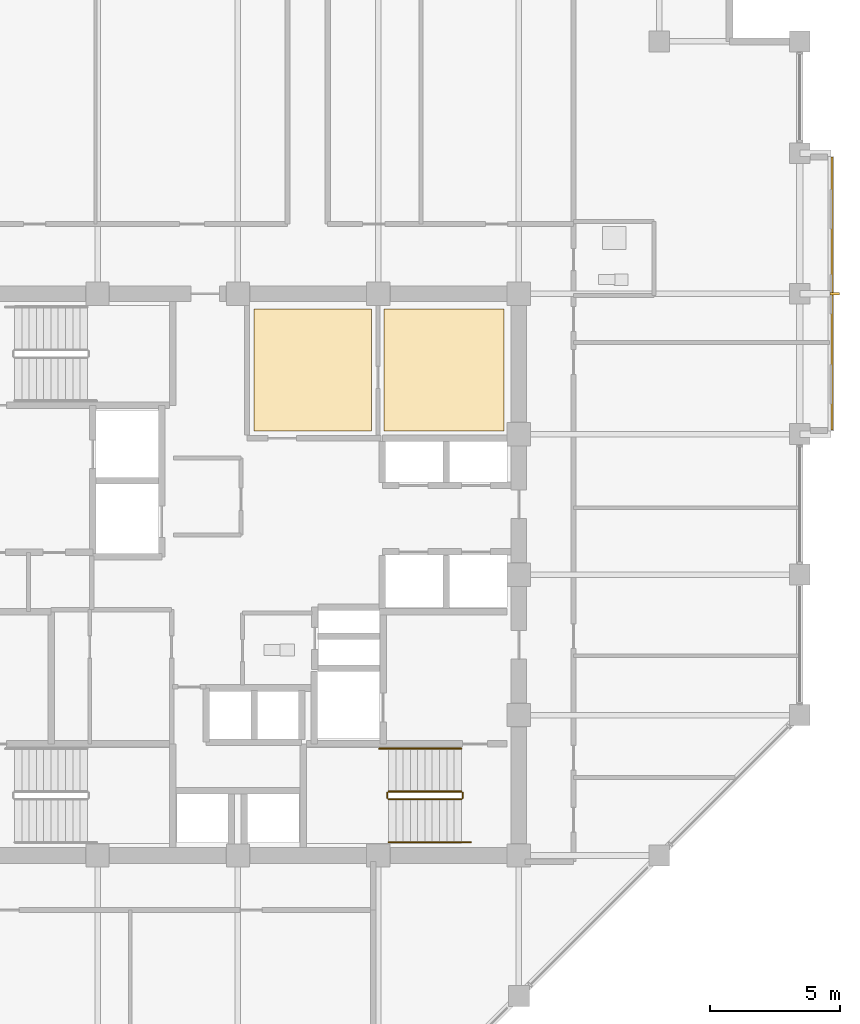
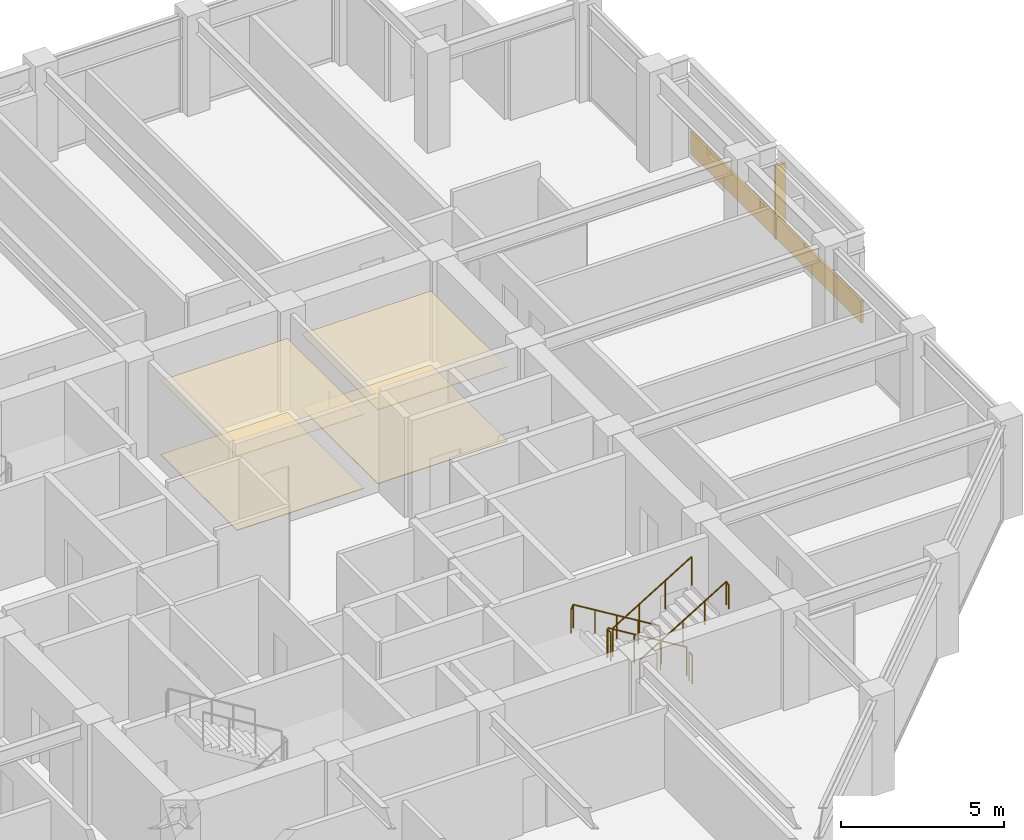
# One storey, part 29 of 30: 6 railings, 5 coverings, 1 shading device.
"""IFC4 building model written with IfcOpenShell, lengths in metres."""

from ifc_helpers import new_model, si_unit, direction, frame, origin, origin_2d, place, context, subcontext, project, spatial, polyline, rectangle, circle, outline, extrude, material, layer, layer_set, type_object, element, save


model = new_model("IFC4")

# Units and contexts
model_context = context("Model", 3, precision=1e-05, world=origin(), true_north=direction((0.0, 1.0)))
body_context = subcontext(model_context, "Body", "Model", "MODEL_VIEW")
ifc_project = project(units=[si_unit("LENGTHUNIT", "METRE"), si_unit("AREAUNIT", "SQUARE_METRE"), si_unit("VOLUMEUNIT", "CUBIC_METRE"), si_unit("PLANEANGLEUNIT", "RADIAN"), si_unit("MASSUNIT", "GRAM", prefix="KILO")], contexts=[model_context])

# Site, building, storey
site_placement = place(None, origin())
site = spatial("IfcSite", under=ifc_project, at=site_placement, CompositionType="ELEMENT")
building_placement = place(site_placement, origin())
building = spatial("IfcBuilding", under=site, at=building_placement, Name="Surkhivell Harbour Commons", CompositionType="ELEMENT")
storey_placement = place(building_placement, frame((0.0, 0.0, 227.25)))
storey = spatial("IfcBuildingStorey", under=building, at=storey_placement, Name="L59", CompositionType="ELEMENT", Elevation=227.25)

# Coverings
ifc_material_1 = material(Name="Perforated acoustic mineral-fibre ceiling tile", Category="other")
ifc_layer_1 = layer(ifc_material_1, 0.02490234375)
ifc_layer_set_1 = layer_set([ifc_layer_1], Name="Perforated acoustic mineral-fibre ceiling tile")
covering_type_1 = type_object("IfcCoveringType", Name="COV-CEIL-AC", PredefinedType="CEILING", material=ifc_layer_set_1)
covering_1_placement = place(storey_placement, frame((0.0, 0.0, 2.77490234375)))
element("IfcCovering", 1, at=covering_1_placement, inside=storey, type_object=covering_type_1, Name="L59 Suspended Acoustic Ceiling 1", PredefinedType="CEILING", context=body_context, shape_type="SweptSolid", body=[
    extrude(outline(polyline([(0.6201171875, 5.52001953125), (5.1298828125, 5.52001953125), (5.1298828125, 10.219970703125), (0.6201171875, 10.219970703125), (0.6201171875, 5.52001953125)])), origin(), (0.0, 0.0, 1.0), 0.025146484375),
])
ifc_material_2 = material(Name="Moisture-resistant gypsum acoustic ceiling board", Category="other")
ifc_layer_2 = layer(ifc_material_2, 0.030029296875)
ifc_layer_set_2 = layer_set([ifc_layer_2], Name="Moisture-resistant gypsum acoustic ceiling board")
covering_type_2 = type_object("IfcCoveringType", Name="COV-CEIL-GYP", PredefinedType="CEILING", material=ifc_layer_set_2)
covering_2_placement = place(storey_placement, frame((0.0, 0.0, 2.77001953125)))
element("IfcCovering", 2, at=covering_2_placement, inside=storey, type_object=covering_type_2, Name="L59 Suspended Acoustic Ceiling 2", PredefinedType="CEILING", context=body_context, shape_type="SweptSolid", body=[
    extrude(outline(polyline([(5.6201171875, 5.52001953125), (10.219970703125, 5.52001953125), (10.219970703125, 10.219970703125), (5.6201171875, 10.219970703125), (5.6201171875, 5.52001953125)])), origin(), (0.0, 0.0, 1.0), 0.030029296875),
])
ifc_material_3 = material(Name="Saffron-gold enamelled aluminium cassette panel", Category="aluminium")
ifc_layer_3 = layer(ifc_material_3, 0.070068359375)
ifc_layer_set_3 = layer_set([ifc_layer_3], Name="Saffron-gold enamelled aluminium cassette panel")
covering_type_3 = type_object("IfcCoveringType", Name="COV-CLAD-SAF", PredefinedType="CLADDING", material=ifc_layer_set_3)
covering_3_placement = place(storey_placement, frame((22.840087890625, 10.800048828125, 0.0), z_axis=(0.0, 0.0, 1.0), x_axis=(1.0, 0.0, 0.0)))
element("IfcCovering", 3, at=covering_3_placement, inside=storey, type_object=covering_type_3, Name="L59 Coloured-Panel Box Spandrel Cassette 01", PredefinedType="CLADDING", context=body_context, shape_type="SweptSolid", body=[
    extrude(rectangle(XDim=0.080078125, YDim=10.5, at=origin_2d()), origin(), (0.0, 0.0, 1.0), 0.840087890625),
])
ifc_material_4 = material(Name="Engineered acoustic oak timber flooring", Category="wood")
ifc_layer_4 = layer(ifc_material_4, 0.02001953125)
ifc_layer_set_4 = layer_set([ifc_layer_4], Name="Engineered acoustic oak timber flooring")
covering_type_4 = type_object("IfcCoveringType", Name="COV-FLR-TIM", PredefinedType="FLOORING", material=ifc_layer_set_4)
covering_4_placement = place(storey_placement, origin())
element("IfcCovering", 4, at=covering_4_placement, inside=storey, type_object=covering_type_4, Name="L59 Interior Floor Finish 1", PredefinedType="FLOORING", context=body_context, shape_type="SweptSolid", body=[
    extrude(outline(polyline([(0.6201171875, 5.52001953125), (5.1298828125, 5.52001953125), (5.1298828125, 10.219970703125), (0.6201171875, 10.219970703125), (0.6201171875, 5.52001953125)])), origin(), (0.0, 0.0, 1.0), 0.02001953125),
])
covering_5_placement = place(storey_placement, origin())
element("IfcCovering", 5, at=covering_5_placement, inside=storey, type_object=covering_type_4, Name="L59 Interior Floor Finish 2", PredefinedType="FLOORING", context=body_context, shape_type="SweptSolid", body=[
    extrude(outline(polyline([(5.6201171875, 5.52001953125), (10.219970703125, 5.52001953125), (10.219970703125, 10.219970703125), (5.6201171875, 10.219970703125), (5.6201171875, 5.52001953125)])), origin(), (0.0, 0.0, 1.0), 0.02001953125),
])

# Railings
ifc_material_5 = material(Name="Galvanised and painted steel S355 guard rail", Category="steel")
railing_type_1 = type_object("IfcRailingType", Name="RAL-ST-GRD1100", PredefinedType="GUARDRAIL", material=ifc_material_5)
railing_1_placement = place(storey_placement, frame((8.590087890625, -8.340087890625, 0.17041015625)))
element("IfcRailing", 6, at=railing_1_placement, inside=storey, type_object=railing_type_1, Name="L59 ST2 stair guard 1", PredefinedType="GUARDRAIL", context=body_context, shape_type="SweptSolid", body=[
    extrude(circle(Radius=0.02392578125, at=origin_2d()), frame((0.0, 0.0, 1.076171875), z_axis=(-0.854169791009, 0.0, 0.51999420009), x_axis=(0.0, -1.0, 0.0)), (0.0, 0.0, 1.0), 3.278076171875),
    extrude(circle(Radius=0.02099609375, at=origin_2d()), origin(), (0.0, 0.0, 1.0), 1.052001953125),
    extrude(circle(Radius=0.02099609375, at=origin_2d()), frame((-0.933349609375, 0.0, 0.568115234375)), (0.0, 0.0, 1.0), 1.052001953125),
    extrude(circle(Radius=0.02099609375, at=origin_2d()), frame((-1.86669921875, 0.0, 1.136474609375)), (0.0, 0.0, 1.0), 1.052001953125),
    extrude(circle(Radius=0.02099609375, at=origin_2d()), frame((-2.800048828125, 0.0, 1.70458984375)), (0.0, 0.0, 1.0), 1.052001953125),
])
railing_2_placement = place(storey_placement, frame((5.739990234375, -8.389892578125, 1.875)))
element("IfcRailing", 7, at=railing_2_placement, inside=storey, type_object=railing_type_1, Name="L59 ST2 stair guard 2", PredefinedType="GUARDRAIL", context=body_context, shape_type="SweptSolid", body=[
    extrude(circle(Radius=0.02392578125, at=origin_2d()), frame((0.0, 0.0, 1.076171875), z_axis=(0.0, -1.0, 0.0), x_axis=(1.0, 0.0, 0.0)), (0.0, 0.0, 1.0), 0.2001953125),
    extrude(circle(Radius=0.02099609375, at=origin_2d()), origin(), (0.0, 0.0, 1.0), 1.052001953125),
    extrude(circle(Radius=0.02099609375, at=origin_2d()), frame((0.0, -0.2001953125, 0.0)), (0.0, 0.0, 1.0), 1.052001953125),
])
railing_3_placement = place(storey_placement, frame((5.7900390625, -8.639892578125, 2.04541015625)))
element("IfcRailing", 8, at=railing_3_placement, inside=storey, type_object=railing_type_1, Name="L59 ST2 stair guard 3", PredefinedType="GUARDRAIL", context=body_context, shape_type="SweptSolid", body=[
    extrude(circle(Radius=0.02392578125, at=origin_2d()), frame((0.0, 0.0, 1.076171875), z_axis=(0.854169791009, 0.0, 0.51999420009), x_axis=(0.0, 1.0, 0.0)), (0.0, 0.0, 1.0), 3.278076171875),
    extrude(circle(Radius=0.02099609375, at=origin_2d()), origin(), (0.0, 0.0, 1.0), 1.052001953125),
    extrude(circle(Radius=0.02099609375, at=origin_2d()), frame((0.933349609375, 0.0, 0.568115234375)), (0.0, 0.0, 1.0), 1.052001953125),
    extrude(circle(Radius=0.02099609375, at=origin_2d()), frame((1.86669921875, 0.0, 1.136474609375)), (0.0, 0.0, 1.0), 1.052001953125),
    extrude(circle(Radius=0.02099609375, at=origin_2d()), frame((2.800048828125, 0.0, 1.70458984375)), (0.0, 0.0, 1.0), 1.052001953125),
])
railing_4_placement = place(storey_placement, frame((8.639892578125, -8.389892578125, 0.0)))
element("IfcRailing", 9, at=railing_4_placement, inside=storey, type_object=railing_type_1, Name="L59 ST2 stair guard 4", PredefinedType="GUARDRAIL", context=body_context, shape_type="SweptSolid", body=[
    extrude(circle(Radius=0.02392578125, at=origin_2d()), frame((0.0, 0.0, 1.076171875), z_axis=(0.0, -1.0, 0.0), x_axis=(1.0, 0.0, 0.0)), (0.0, 0.0, 1.0), 0.2001953125),
    extrude(circle(Radius=0.02099609375, at=origin_2d()), origin(), (0.0, 0.0, 1.0), 1.052001953125),
    extrude(circle(Radius=0.02099609375, at=origin_2d()), frame((0.0, -0.2001953125, 0.0)), (0.0, 0.0, 1.0), 1.052001953125),
])
ifc_material_6 = material(Name="Brushed stainless steel S355 handrail", Category="steel")
railing_type_2 = type_object("IfcRailingType", Name="RAL-ST-HND900", PredefinedType="HANDRAIL", material=ifc_material_6)
railing_5_placement = place(storey_placement, frame((8.590087890625, -6.68994140625, 0.17041015625)))
element("IfcRailing", 10, at=railing_5_placement, inside=storey, type_object=railing_type_2, Name="L59 ST2 stair handrail 1", PredefinedType="HANDRAIL", context=body_context, shape_type="SweptSolid", body=[
    extrude(circle(Radius=0.02392578125, at=origin_2d()), frame((0.0, 0.0, 0.8759765625), z_axis=(-0.854177636135, 0.0, 0.519981313056), x_axis=(0.0, -1.0, 0.0)), (0.0, 0.0, 1.0), 3.60595703125),
    extrude(circle(Radius=0.02392578125, at=origin_2d()), frame((-3.080078125, 0.0, 2.7509765625), z_axis=(-0.425297416671, 0.0, -0.905053648892), x_axis=(0.0, -1.0, 0.0)), (0.0, 0.0, 1.0), 0.188232421875),
    extrude(circle(Radius=0.02099609375, at=origin_2d()), origin(), (0.0, 0.0, 1.0), 0.851806640625),
    extrude(circle(Radius=0.02099609375, at=origin_2d()), frame((-0.77001953125, 0.0, 0.46875)), (0.0, 0.0, 1.0), 0.851806640625),
    extrude(circle(Radius=0.02099609375, at=origin_2d()), frame((-1.5400390625, 0.0, 0.9375)), (0.0, 0.0, 1.0), 0.851806640625),
    extrude(circle(Radius=0.02099609375, at=origin_2d()), frame((-2.31005859375, 0.0, 1.40625)), (0.0, 0.0, 1.0), 0.851806640625),
    extrude(circle(Radius=0.02099609375, at=origin_2d()), frame((-3.080078125, 0.0, 1.875)), (0.0, 0.0, 1.0), 0.851806640625),
    extrude(circle(Radius=0.02099609375, at=origin_2d()), frame((-3.16015625, 0.0, 1.70458984375)), (0.0, 0.0, 1.0), 0.851806640625),
])
railing_6_placement = place(storey_placement, frame((5.7900390625, -10.2900390625, 2.04541015625)))
element("IfcRailing", 11, at=railing_6_placement, inside=storey, type_object=railing_type_2, Name="L59 ST2 stair handrail 2", PredefinedType="HANDRAIL", context=body_context, shape_type="SweptSolid", body=[
    extrude(circle(Radius=0.02392578125, at=origin_2d()), frame((0.0, 0.0, 0.8759765625), z_axis=(0.854177636135, 0.0, 0.519981313056), x_axis=(0.0, 1.0, 0.0)), (0.0, 0.0, 1.0), 3.60595703125),
    extrude(circle(Radius=0.02392578125, at=origin_2d()), frame((3.080078125, 0.0, 2.7509765625), z_axis=(0.424234432967, 0.0, -0.905552398199), x_axis=(0.0, 1.0, 0.0)), (0.0, 0.0, 1.0), 0.188232421875),
    extrude(circle(Radius=0.02099609375, at=origin_2d()), origin(), (0.0, 0.0, 1.0), 0.851806640625),
    extrude(circle(Radius=0.02099609375, at=origin_2d()), frame((0.77001953125, 0.0, 0.46875)), (0.0, 0.0, 1.0), 0.851806640625),
    extrude(circle(Radius=0.02099609375, at=origin_2d()), frame((1.5400390625, 0.0, 0.9375)), (0.0, 0.0, 1.0), 0.851806640625),
    extrude(circle(Radius=0.02099609375, at=origin_2d()), frame((2.31005859375, 0.0, 1.40625)), (0.0, 0.0, 1.0), 0.851806640625),
    extrude(circle(Radius=0.02099609375, at=origin_2d()), frame((3.080078125, 0.0, 1.875)), (0.0, 0.0, 1.0), 0.851806640625),
    extrude(circle(Radius=0.02099609375, at=origin_2d()), frame((3.159912109375, 0.0, 1.70458984375)), (0.0, 0.0, 1.0), 0.851806640625),
])

# Shading device
ifc_material_7 = material(Name="Anodised pale-metal aluminium solar fin", Category="aluminium")
shading_device_type = type_object("IfcShadingDeviceType", Name="SHD-FIN-VERT", PredefinedType="USERDEFINED", material=ifc_material_7)
shading_device_placement = place(storey_placement, frame((22.93994140625, 10.800048828125, 0.0048828125), z_axis=(0.0, 0.0, 1.0), x_axis=(1.0, 0.0, 0.0)))
element("IfcShadingDevice", 12, at=shading_device_placement, inside=storey, type_object=shading_device_type, Name="L59 Coloured-Box Solar Fin 01", ObjectType="FIN", PredefinedType="USERDEFINED", context=body_context, shape_type="SweptSolid", body=[
    extrude(rectangle(XDim=0.360107421875, YDim=0.090087890625, at=origin_2d()), origin(), (0.0, 0.0, 1.0), 2.75),
])

save(model, "model.ifc")
